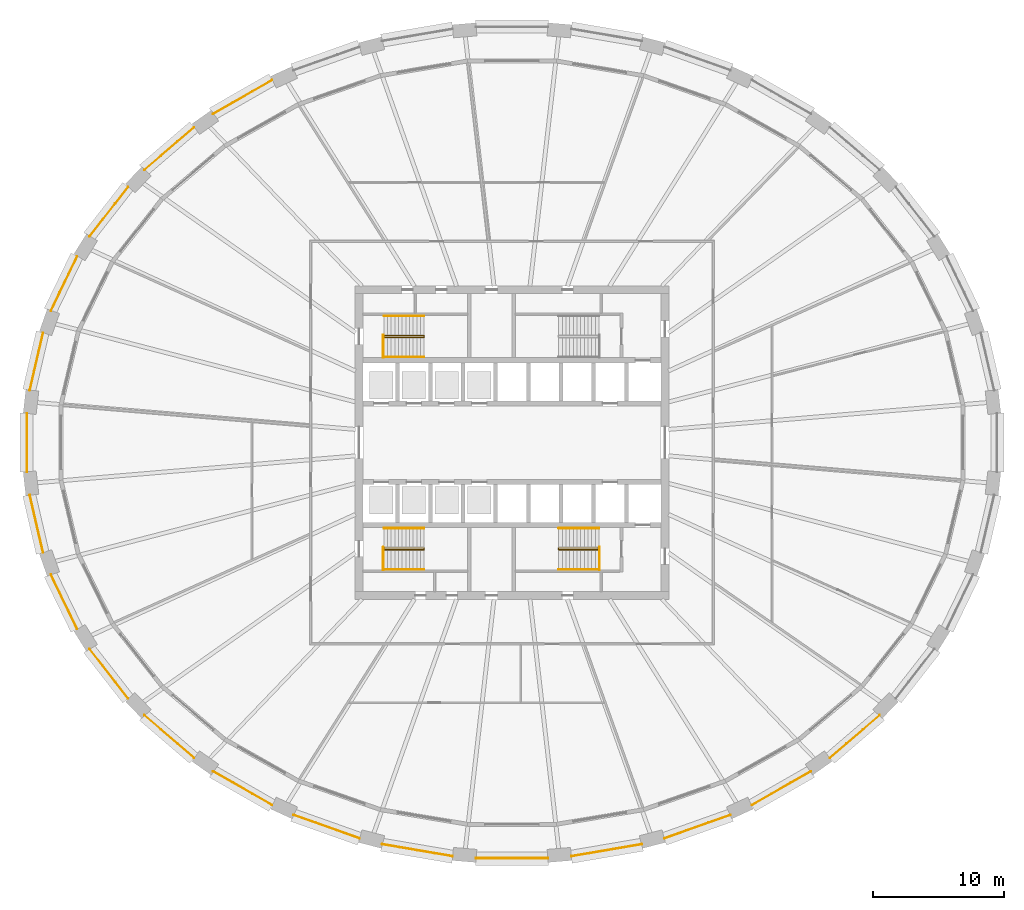
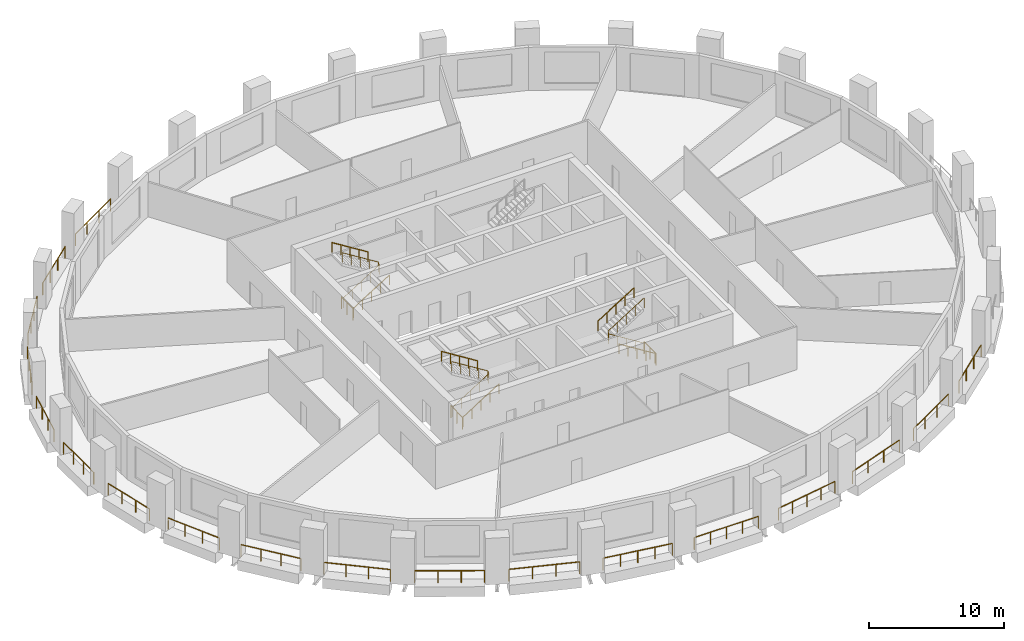
# One storey, part 8 of 10: 30 railings.
"""IFC4 building model written with IfcOpenShell, lengths in metres."""

from ifc_helpers import new_model, si_unit, direction, frame, origin, origin_2d, place, context, subcontext, project, spatial, circle, extrude, material, type_object, element, save


model = new_model("IFC4")

# Units and contexts
model_context = context("Model", 3, precision=1e-05, world=origin(), true_north=direction((0.0, 1.0)))
body_context = subcontext(model_context, "Body", "Model", "MODEL_VIEW")
ifc_project = project(units=[si_unit("LENGTHUNIT", "METRE"), si_unit("AREAUNIT", "SQUARE_METRE"), si_unit("VOLUMEUNIT", "CUBIC_METRE"), si_unit("PLANEANGLEUNIT", "RADIAN"), si_unit("MASSUNIT", "GRAM", prefix="KILO")], contexts=[model_context])

# Site, building, storey
site_placement = place(None, origin())
site = spatial("IfcSite", under=ifc_project, at=site_placement, CompositionType="ELEMENT")
building_placement = place(site_placement, origin())
building = spatial("IfcBuilding", under=site, at=building_placement, Name="Halqa Exchange Tower", CompositionType="ELEMENT")
storey_placement = place(building_placement, frame((0.0, 0.0, 57.10009765625)))
storey = spatial("IfcBuildingStorey", under=building, at=storey_placement, Name="L12", CompositionType="ELEMENT", Elevation=57.10009765625)

# Railings
ifc_material = material(Name="Stainless steel", Category="steel")
railing_type_1 = type_object("IfcRailingType", Name="Guard 1100 stainless steel", PredefinedType="GUARDRAIL", material=ifc_material)
railing_1_placement = place(storey_placement, frame((-18.350341796875, 27.72705078125, 0.0)))
element("IfcRailing", 1, at=railing_1_placement, inside=storey, type_object=railing_type_1, Name="Loggia guard 11", PredefinedType="GUARDRAIL", context=body_context, shape_type="SweptSolid", body=[
    extrude(circle(Radius=0.02392578125, at=origin_2d()), frame((0.0, 0.0, 1.076171875), z_axis=(-0.867766101648, -0.496972829068, 0.0), x_axis=(0.496972829068, -0.867766101648, 0.0)), (0.0, 0.0, 1.0), 5.200927734375),
    extrude(circle(Radius=0.02099609375, at=origin_2d()), origin(), (0.0, 0.0, 1.0), 1.052001953125),
    extrude(circle(Radius=0.02099609375, at=origin_2d()), frame((-1.50439453125, -0.861572265625, 0.0)), (0.0, 0.0, 1.0), 1.052001953125),
    extrude(circle(Radius=0.02099609375, at=origin_2d()), frame((-3.0087890625, -1.72314453125, 0.0)), (0.0, 0.0, 1.0), 1.052001953125),
    extrude(circle(Radius=0.02099609375, at=origin_2d()), frame((-4.51318359375, -2.584716796875, 0.0)), (0.0, 0.0, 1.0), 1.052001953125),
])
railing_2_placement = place(storey_placement, frame((-24.327880859375, 24.109375, 0.0)))
element("IfcRailing", 2, at=railing_2_placement, inside=storey, type_object=railing_type_1, Name="Loggia guard 12", PredefinedType="GUARDRAIL", context=body_context, shape_type="SweptSolid", body=[
    extrude(circle(Radius=0.02392578125, at=origin_2d()), frame((0.0, 0.0, 1.076171875), z_axis=(-0.759225609307, -0.650827530281, 0.0), x_axis=(0.650827530281, -0.759225609307, 0.0)), (0.0, 0.0, 1.0), 5.004638671875),
    extrude(circle(Radius=0.02099609375, at=origin_2d()), origin(), (0.0, 0.0, 1.0), 1.052001953125),
    extrude(circle(Radius=0.02099609375, at=origin_2d()), frame((-1.2666015625, -1.085693359375, 0.0)), (0.0, 0.0, 1.0), 1.052001953125),
    extrude(circle(Radius=0.02099609375, at=origin_2d()), frame((-2.532958984375, -2.17138671875, 0.0)), (0.0, 0.0, 1.0), 1.052001953125),
    extrude(circle(Radius=0.02099609375, at=origin_2d()), frame((-3.799560546875, -3.257080078125, 0.0)), (0.0, 0.0, 1.0), 1.052001953125),
])
railing_3_placement = place(storey_placement, frame((-29.3642578125, 19.556884765625, 0.0)))
element("IfcRailing", 3, at=railing_3_placement, inside=storey, type_object=railing_type_1, Name="Loggia guard 13", PredefinedType="GUARDRAIL", context=body_context, shape_type="SweptSolid", body=[
    extrude(circle(Radius=0.02392578125, at=origin_2d()), frame((0.0, 0.0, 1.076171875), z_axis=(-0.61481305672, -0.788672875968, 0.0), x_axis=(0.788672875968, -0.61481305672, 0.0)), (0.0, 0.0, 1.0), 4.802490234375),
    extrude(circle(Radius=0.02099609375, at=origin_2d()), origin(), (0.0, 0.0, 1.0), 1.052001953125),
    extrude(circle(Radius=0.02099609375, at=origin_2d()), frame((-0.984130859375, -1.262451171875, 0.0)), (0.0, 0.0, 1.0), 1.052001953125),
    extrude(circle(Radius=0.02099609375, at=origin_2d()), frame((-1.968505859375, -2.525146484375, 0.0)), (0.0, 0.0, 1.0), 1.052001953125),
    extrude(circle(Radius=0.02099609375, at=origin_2d()), frame((-2.95263671875, -3.78759765625, 0.0)), (0.0, 0.0, 1.0), 1.052001953125),
])
railing_4_placement = place(storey_placement, frame((-33.26171875, 14.249267578125, 0.0)))
element("IfcRailing", 4, at=railing_4_placement, inside=storey, type_object=railing_type_1, Name="Loggia guard 14", PredefinedType="GUARDRAIL", context=body_context, shape_type="SweptSolid", body=[
    extrude(circle(Radius=0.02392578125, at=origin_2d()), frame((0.0, 0.0, 1.076171875), z_axis=(-0.435076679412, -0.900393404591, 0.0), x_axis=(0.900393404591, -0.435076679412, 0.0)), (0.0, 0.0, 1.0), 4.6259765625),
    extrude(circle(Radius=0.02099609375, at=origin_2d()), origin(), (0.0, 0.0, 1.0), 1.052001953125),
    extrude(circle(Radius=0.02099609375, at=origin_2d()), frame((-0.6708984375, -1.388427734375, 0.0)), (0.0, 0.0, 1.0), 1.052001953125),
    extrude(circle(Radius=0.02099609375, at=origin_2d()), frame((-1.341796875, -2.77685546875, 0.0)), (0.0, 0.0, 1.0), 1.052001953125),
    extrude(circle(Radius=0.02099609375, at=origin_2d()), frame((-2.0126953125, -4.165283203125, 0.0)), (0.0, 0.0, 1.0), 1.052001953125),
])
railing_5_placement = place(storey_placement, frame((-35.86962890625, 8.39697265625, 0.0)))
element("IfcRailing", 5, at=railing_5_placement, inside=storey, type_object=railing_type_1, Name="Loggia guard 15", PredefinedType="GUARDRAIL", context=body_context, shape_type="SweptSolid", body=[
    extrude(circle(Radius=0.02392578125, at=origin_2d()), frame((0.0, 0.0, 1.076171875), z_axis=(-0.226066355165, -0.974111904795, 0.0), x_axis=(0.974111904795, -0.226066355165, 0.0)), (0.0, 0.0, 1.0), 4.505615234375),
    extrude(circle(Radius=0.02099609375, at=origin_2d()), origin(), (0.0, 0.0, 1.0), 1.052001953125),
    extrude(circle(Radius=0.02099609375, at=origin_2d()), frame((-0.339599609375, -1.462890625, 0.0)), (0.0, 0.0, 1.0), 1.052001953125),
    extrude(circle(Radius=0.02099609375, at=origin_2d()), frame((-0.678955078125, -2.926025390625, 0.0)), (0.0, 0.0, 1.0), 1.052001953125),
    extrude(circle(Radius=0.02099609375, at=origin_2d()), frame((-1.0185546875, -4.388916015625, 0.0)), (0.0, 0.0, 1.0), 1.052001953125),
])
railing_6_placement = place(storey_placement, frame((-37.091552734375, 2.231201171875, 0.0)))
element("IfcRailing", 6, at=railing_6_placement, inside=storey, type_object=railing_type_1, Name="Loggia guard 16", PredefinedType="GUARDRAIL", context=body_context, shape_type="SweptSolid", body=[
    extrude(circle(Radius=0.02392578125, at=origin_2d()), frame((0.0, 0.0, 1.076171875), z_axis=(0.0, -1.0, 0.0), x_axis=(1.0, 0.0, 0.0)), (0.0, 0.0, 1.0), 4.46240234375),
    extrude(circle(Radius=0.02099609375, at=origin_2d()), origin(), (0.0, 0.0, 1.0), 1.052001953125),
    extrude(circle(Radius=0.02099609375, at=origin_2d()), frame((0.0, -1.487548828125, 0.0)), (0.0, 0.0, 1.0), 1.052001953125),
    extrude(circle(Radius=0.02099609375, at=origin_2d()), frame((0.0, -2.974853515625, 0.0)), (0.0, 0.0, 1.0), 1.052001953125),
    extrude(circle(Radius=0.02099609375, at=origin_2d()), frame((0.0, -4.46240234375, 0.0)), (0.0, 0.0, 1.0), 1.052001953125),
])
railing_7_placement = place(storey_placement, frame((-36.88818359375, -4.008056640625, 0.0)))
element("IfcRailing", 7, at=railing_7_placement, inside=storey, type_object=railing_type_1, Name="Loggia guard 17", PredefinedType="GUARDRAIL", context=body_context, shape_type="SweptSolid", body=[
    extrude(circle(Radius=0.02392578125, at=origin_2d()), frame((0.0, 0.0, 1.076171875), z_axis=(0.226066355165, -0.974111904795, 0.0), x_axis=(0.974111904795, 0.226066355165, 0.0)), (0.0, 0.0, 1.0), 4.505615234375),
    extrude(circle(Radius=0.02099609375, at=origin_2d()), origin(), (0.0, 0.0, 1.0), 1.052001953125),
    extrude(circle(Radius=0.02099609375, at=origin_2d()), frame((0.339599609375, -1.462890625, 0.0)), (0.0, 0.0, 1.0), 1.052001953125),
    extrude(circle(Radius=0.02099609375, at=origin_2d()), frame((0.678955078125, -2.926025390625, 0.0)), (0.0, 0.0, 1.0), 1.052001953125),
    extrude(circle(Radius=0.02099609375, at=origin_2d()), frame((1.0185546875, -4.388916015625, 0.0)), (0.0, 0.0, 1.0), 1.052001953125),
])
railing_8_placement = place(storey_placement, frame((-35.2744140625, -10.083984375, 0.0)))
element("IfcRailing", 8, at=railing_8_placement, inside=storey, type_object=railing_type_1, Name="Loggia guard 18", PredefinedType="GUARDRAIL", context=body_context, shape_type="SweptSolid", body=[
    extrude(circle(Radius=0.02392578125, at=origin_2d()), frame((0.0, 0.0, 1.076171875), z_axis=(0.435076679412, -0.900393404591, 0.0), x_axis=(0.900393404591, 0.435076679412, 0.0)), (0.0, 0.0, 1.0), 4.6259765625),
    extrude(circle(Radius=0.02099609375, at=origin_2d()), origin(), (0.0, 0.0, 1.0), 1.052001953125),
    extrude(circle(Radius=0.02099609375, at=origin_2d()), frame((0.6708984375, -1.388427734375, 0.0)), (0.0, 0.0, 1.0), 1.052001953125),
    extrude(circle(Radius=0.02099609375, at=origin_2d()), frame((1.341796875, -2.77685546875, 0.0)), (0.0, 0.0, 1.0), 1.052001953125),
    extrude(circle(Radius=0.02099609375, at=origin_2d()), frame((2.0126953125, -4.165283203125, 0.0)), (0.0, 0.0, 1.0), 1.052001953125),
])
railing_9_placement = place(storey_placement, frame((-32.31689453125, -15.769287109375, 0.0)))
element("IfcRailing", 9, at=railing_9_placement, inside=storey, type_object=railing_type_1, Name="Loggia guard 19", PredefinedType="GUARDRAIL", context=body_context, shape_type="SweptSolid", body=[
    extrude(circle(Radius=0.02392578125, at=origin_2d()), frame((0.0, 0.0, 1.076171875), z_axis=(0.61481305672, -0.788672875968, 0.0), x_axis=(0.788672875968, 0.61481305672, 0.0)), (0.0, 0.0, 1.0), 4.802490234375),
    extrude(circle(Radius=0.02099609375, at=origin_2d()), origin(), (0.0, 0.0, 1.0), 1.052001953125),
    extrude(circle(Radius=0.02099609375, at=origin_2d()), frame((0.984130859375, -1.262451171875, 0.0)), (0.0, 0.0, 1.0), 1.052001953125),
    extrude(circle(Radius=0.02099609375, at=origin_2d()), frame((1.968505859375, -2.525146484375, 0.0)), (0.0, 0.0, 1.0), 1.052001953125),
    extrude(circle(Radius=0.02099609375, at=origin_2d()), frame((2.95263671875, -3.78759765625, 0.0)), (0.0, 0.0, 1.0), 1.052001953125),
])
railing_10_placement = place(storey_placement, frame((-28.12744140625, -20.852294921875, 0.0)))
element("IfcRailing", 10, at=railing_10_placement, inside=storey, type_object=railing_type_1, Name="Loggia guard 20", PredefinedType="GUARDRAIL", context=body_context, shape_type="SweptSolid", body=[
    extrude(circle(Radius=0.02392578125, at=origin_2d()), frame((0.0, 0.0, 1.076171875), z_axis=(0.759225609307, -0.650827530281, 0.0), x_axis=(0.650827530281, 0.759225609307, 0.0)), (0.0, 0.0, 1.0), 5.004638671875),
    extrude(circle(Radius=0.02099609375, at=origin_2d()), origin(), (0.0, 0.0, 1.0), 1.052001953125),
    extrude(circle(Radius=0.02099609375, at=origin_2d()), frame((1.2666015625, -1.085693359375, 0.0)), (0.0, 0.0, 1.0), 1.052001953125),
    extrude(circle(Radius=0.02099609375, at=origin_2d()), frame((2.532958984375, -2.17138671875, 0.0)), (0.0, 0.0, 1.0), 1.052001953125),
    extrude(circle(Radius=0.02099609375, at=origin_2d()), frame((3.799560546875, -3.257080078125, 0.0)), (0.0, 0.0, 1.0), 1.052001953125),
])
railing_11_placement = place(storey_placement, frame((-22.863525390625, -25.142333984375, 0.0)))
element("IfcRailing", 11, at=railing_11_placement, inside=storey, type_object=railing_type_1, Name="Loggia guard 21", PredefinedType="GUARDRAIL", context=body_context, shape_type="SweptSolid", body=[
    extrude(circle(Radius=0.02392578125, at=origin_2d()), frame((0.0, 0.0, 1.076171875), z_axis=(0.867766101648, -0.496972829068, 0.0), x_axis=(0.496972829068, 0.867766101648, 0.0)), (0.0, 0.0, 1.0), 5.200927734375),
    extrude(circle(Radius=0.02099609375, at=origin_2d()), origin(), (0.0, 0.0, 1.0), 1.052001953125),
    extrude(circle(Radius=0.02099609375, at=origin_2d()), frame((1.50439453125, -0.861572265625, 0.0)), (0.0, 0.0, 1.0), 1.052001953125),
    extrude(circle(Radius=0.02099609375, at=origin_2d()), frame((3.0087890625, -1.72314453125, 0.0)), (0.0, 0.0, 1.0), 1.052001953125),
    extrude(circle(Radius=0.02099609375, at=origin_2d()), frame((4.51318359375, -2.584716796875, 0.0)), (0.0, 0.0, 1.0), 1.052001953125),
])
railing_12_placement = place(storey_placement, frame((-16.72119140625, -28.4755859375, 0.0)))
element("IfcRailing", 12, at=railing_12_placement, inside=storey, type_object=railing_type_1, Name="Loggia guard 22", PredefinedType="GUARDRAIL", context=body_context, shape_type="SweptSolid", body=[
    extrude(circle(Radius=0.02392578125, at=origin_2d()), frame((0.0, 0.0, 1.076171875), z_axis=(0.94237775189, -0.334550702799, 0.0), x_axis=(0.334550702799, 0.94237775189, 0.0)), (0.0, 0.0, 1.0), 5.363037109375),
    extrude(circle(Radius=0.02099609375, at=origin_2d()), origin(), (0.0, 0.0, 1.0), 1.052001953125),
    extrude(circle(Radius=0.02099609375, at=origin_2d()), frame((1.6845703125, -0.59814453125, 0.0)), (0.0, 0.0, 1.0), 1.052001953125),
    extrude(circle(Radius=0.02099609375, at=origin_2d()), frame((3.369384765625, -1.196044921875, 0.0)), (0.0, 0.0, 1.0), 1.052001953125),
    extrude(circle(Radius=0.02099609375, at=origin_2d()), frame((5.053955078125, -1.794189453125, 0.0)), (0.0, 0.0, 1.0), 1.052001953125),
])
railing_13_placement = place(storey_placement, frame((-9.931884765625, -30.72216796875, 0.0)))
element("IfcRailing", 13, at=railing_13_placement, inside=storey, type_object=railing_type_1, Name="Loggia guard 23", PredefinedType="GUARDRAIL", context=body_context, shape_type="SweptSolid", body=[
    extrude(circle(Radius=0.02392578125, at=origin_2d()), frame((0.0, 0.0, 1.076171875), z_axis=(0.985769278309, -0.168103926015, 0.0), x_axis=(0.168103926015, 0.985769278309, 0.0)), (0.0, 0.0, 1.0), 5.469482421875),
    extrude(circle(Radius=0.02099609375, at=origin_2d()), origin(), (0.0, 0.0, 1.0), 1.052001953125),
    extrude(circle(Radius=0.02099609375, at=origin_2d()), frame((1.347900390625, -0.22998046875, 0.0)), (0.0, 0.0, 1.0), 1.052001953125),
    extrude(circle(Radius=0.02099609375, at=origin_2d()), frame((2.69580078125, -0.459716796875, 0.0)), (0.0, 0.0, 1.0), 1.052001953125),
    extrude(circle(Radius=0.02099609375, at=origin_2d()), frame((4.043701171875, -0.689453125, 0.0)), (0.0, 0.0, 1.0), 1.052001953125),
    extrude(circle(Radius=0.02099609375, at=origin_2d()), frame((5.3916015625, -0.91943359375, 0.0)), (0.0, 0.0, 1.0), 1.052001953125),
])
railing_14_placement = place(storey_placement, frame((-2.753173828125, -31.792724609375, 0.0)))
element("IfcRailing", 14, at=railing_14_placement, inside=storey, type_object=railing_type_1, Name="Loggia guard 24", PredefinedType="GUARDRAIL", context=body_context, shape_type="SweptSolid", body=[
    extrude(circle(Radius=0.02392578125, at=origin_2d()), frame((0.0, 0.0, 1.076171875), z_axis=(1.0, 0.0, 0.0), x_axis=(0.0, 1.0, 0.0)), (0.0, 0.0, 1.0), 5.50634765625),
    extrude(circle(Radius=0.02099609375, at=origin_2d()), origin(), (0.0, 0.0, 1.0), 1.052001953125),
    extrude(circle(Radius=0.02099609375, at=origin_2d()), frame((1.37646484375, 0.0, 0.0)), (0.0, 0.0, 1.0), 1.052001953125),
    extrude(circle(Radius=0.02099609375, at=origin_2d()), frame((2.753173828125, 0.0, 0.0)), (0.0, 0.0, 1.0), 1.052001953125),
    extrude(circle(Radius=0.02099609375, at=origin_2d()), frame((4.1298828125, 0.0, 0.0)), (0.0, 0.0, 1.0), 1.052001953125),
    extrude(circle(Radius=0.02099609375, at=origin_2d()), frame((5.50634765625, 0.0, 0.0)), (0.0, 0.0, 1.0), 1.052001953125),
])
railing_15_placement = place(storey_placement, frame((4.540283203125, -31.6416015625, 0.0)))
element("IfcRailing", 15, at=railing_15_placement, inside=storey, type_object=railing_type_1, Name="Loggia guard 25", PredefinedType="GUARDRAIL", context=body_context, shape_type="SweptSolid", body=[
    extrude(circle(Radius=0.02392578125, at=origin_2d()), frame((0.0, 0.0, 1.076171875), z_axis=(0.985769278309, 0.168103926015, 0.0), x_axis=(-0.168103926015, 0.985769278309, 0.0)), (0.0, 0.0, 1.0), 5.469482421875),
    extrude(circle(Radius=0.02099609375, at=origin_2d()), origin(), (0.0, 0.0, 1.0), 1.052001953125),
    extrude(circle(Radius=0.02099609375, at=origin_2d()), frame((1.347900390625, 0.22998046875, 0.0)), (0.0, 0.0, 1.0), 1.052001953125),
    extrude(circle(Radius=0.02099609375, at=origin_2d()), frame((2.69580078125, 0.459716796875, 0.0)), (0.0, 0.0, 1.0), 1.052001953125),
    extrude(circle(Radius=0.02099609375, at=origin_2d()), frame((4.043701171875, 0.689453125, 0.0)), (0.0, 0.0, 1.0), 1.052001953125),
    extrude(circle(Radius=0.02099609375, at=origin_2d()), frame((5.3916015625, 0.91943359375, 0.0)), (0.0, 0.0, 1.0), 1.052001953125),
])
railing_16_placement = place(storey_placement, frame((11.667236328125, -30.269775390625, 0.0)))
element("IfcRailing", 16, at=railing_16_placement, inside=storey, type_object=railing_type_1, Name="Loggia guard 26", PredefinedType="GUARDRAIL", context=body_context, shape_type="SweptSolid", body=[
    extrude(circle(Radius=0.02392578125, at=origin_2d()), frame((0.0, 0.0, 1.076171875), z_axis=(0.94237775189, 0.334550702799, 0.0), x_axis=(-0.334550702799, 0.94237775189, 0.0)), (0.0, 0.0, 1.0), 5.363037109375),
    extrude(circle(Radius=0.02099609375, at=origin_2d()), origin(), (0.0, 0.0, 1.0), 1.052001953125),
    extrude(circle(Radius=0.02099609375, at=origin_2d()), frame((1.6845703125, 0.59814453125, 0.0)), (0.0, 0.0, 1.0), 1.052001953125),
    extrude(circle(Radius=0.02099609375, at=origin_2d()), frame((3.369384765625, 1.196044921875, 0.0)), (0.0, 0.0, 1.0), 1.052001953125),
    extrude(circle(Radius=0.02099609375, at=origin_2d()), frame((5.053955078125, 1.794189453125, 0.0)), (0.0, 0.0, 1.0), 1.052001953125),
])
railing_17_placement = place(storey_placement, frame((18.350341796875, -27.72705078125, 0.0)))
element("IfcRailing", 17, at=railing_17_placement, inside=storey, type_object=railing_type_1, Name="Loggia guard 27", PredefinedType="GUARDRAIL", context=body_context, shape_type="SweptSolid", body=[
    extrude(circle(Radius=0.02392578125, at=origin_2d()), frame((0.0, 0.0, 1.076171875), z_axis=(0.867766101648, 0.496972829068, 0.0), x_axis=(-0.496972829068, 0.867766101648, 0.0)), (0.0, 0.0, 1.0), 5.200927734375),
    extrude(circle(Radius=0.02099609375, at=origin_2d()), origin(), (0.0, 0.0, 1.0), 1.052001953125),
    extrude(circle(Radius=0.02099609375, at=origin_2d()), frame((1.50439453125, 0.861572265625, 0.0)), (0.0, 0.0, 1.0), 1.052001953125),
    extrude(circle(Radius=0.02099609375, at=origin_2d()), frame((3.0087890625, 1.72314453125, 0.0)), (0.0, 0.0, 1.0), 1.052001953125),
    extrude(circle(Radius=0.02099609375, at=origin_2d()), frame((4.51318359375, 2.584716796875, 0.0)), (0.0, 0.0, 1.0), 1.052001953125),
])
railing_18_placement = place(storey_placement, frame((24.327880859375, -24.109375, 0.0)))
element("IfcRailing", 18, at=railing_18_placement, inside=storey, type_object=railing_type_1, Name="Loggia guard 28", PredefinedType="GUARDRAIL", context=body_context, shape_type="SweptSolid", body=[
    extrude(circle(Radius=0.02392578125, at=origin_2d()), frame((0.0, 0.0, 1.076171875), z_axis=(0.759225609307, 0.650827530281, 0.0), x_axis=(-0.650827530281, 0.759225609307, 0.0)), (0.0, 0.0, 1.0), 5.004638671875),
    extrude(circle(Radius=0.02099609375, at=origin_2d()), origin(), (0.0, 0.0, 1.0), 1.052001953125),
    extrude(circle(Radius=0.02099609375, at=origin_2d()), frame((1.2666015625, 1.085693359375, 0.0)), (0.0, 0.0, 1.0), 1.052001953125),
    extrude(circle(Radius=0.02099609375, at=origin_2d()), frame((2.532958984375, 2.17138671875, 0.0)), (0.0, 0.0, 1.0), 1.052001953125),
    extrude(circle(Radius=0.02099609375, at=origin_2d()), frame((3.799560546875, 3.257080078125, 0.0)), (0.0, 0.0, 1.0), 1.052001953125),
])
railing_type_2 = type_object("IfcRailingType", Name="Stair handrail 900", PredefinedType="HANDRAIL", material=ifc_material)
railing_19_placement = place(storey_placement, frame((-9.800048828125, 8.06005859375, 0.1748046875)))
element("IfcRailing", 19, at=railing_19_placement, inside=storey, type_object=railing_type_2, Name="Handrail ST1.1", PredefinedType="HANDRAIL", context=body_context, shape_type="SweptSolid", body=[
    extrude(circle(Radius=0.02392578125, at=origin_2d()), frame((0.0, 0.0, 0.8759765625), z_axis=(0.847998304005, 0.0, 0.529998940003), x_axis=(0.0, 1.0, 0.0)), (0.0, 0.0, 1.0), 3.632080078125),
    extrude(circle(Radius=0.02392578125, at=origin_2d()), frame((3.080078125, 0.0, 2.80078125), z_axis=(0.0, 0.595870227118, 0.803080738428), x_axis=(-1.0, 0.0, 0.0)), (0.0, 0.0, 1.0), 0.218017578125),
    extrude(circle(Radius=0.02392578125, at=origin_2d()), frame((3.080078125, 0.1298828125, 2.97607421875), z_axis=(-0.847998304005, 0.0, 0.529998940003), x_axis=(0.0, -1.0, 0.0)), (0.0, 0.0, 1.0), 3.632080078125),
    extrude(circle(Radius=0.02099609375, at=origin_2d()), origin(), (0.0, 0.0, 1.0), 0.851806640625),
    extrude(circle(Radius=0.02099609375, at=origin_2d()), frame((0.77001953125, 0.0, 0.481201171875)), (0.0, 0.0, 1.0), 0.851806640625),
    extrude(circle(Radius=0.02099609375, at=origin_2d()), frame((1.5400390625, 0.0, 0.96240234375)), (0.0, 0.0, 1.0), 0.851806640625),
    extrude(circle(Radius=0.02099609375, at=origin_2d()), frame((2.31005859375, 0.0, 1.44384765625)), (0.0, 0.0, 1.0), 0.851806640625),
    extrude(circle(Radius=0.02099609375, at=origin_2d()), frame((3.080078125, 0.0, 1.925048828125)), (0.0, 0.0, 1.0), 0.851806640625),
    extrude(circle(Radius=0.02099609375, at=origin_2d()), frame((3.080078125, 0.1298828125, 2.10009765625)), (0.0, 0.0, 1.0), 0.851806640625),
    extrude(circle(Radius=0.02099609375, at=origin_2d()), frame((2.31005859375, 0.1298828125, 2.581298828125)), (0.0, 0.0, 1.0), 0.851806640625),
    extrude(circle(Radius=0.02099609375, at=origin_2d()), frame((1.5400390625, 0.1298828125, 3.0625)), (0.0, 0.0, 1.0), 0.851806640625),
    extrude(circle(Radius=0.02099609375, at=origin_2d()), frame((0.77001953125, 0.1298828125, 3.5439453125)), (0.0, 0.0, 1.0), 0.851806640625),
    extrude(circle(Radius=0.02099609375, at=origin_2d()), frame((0.0, 0.1298828125, 4.025146484375)), (0.0, 0.0, 1.0), 0.851806640625),
])
railing_20_placement = place(storey_placement, frame((-9.800048828125, 6.550048828125, 0.1748046875)))
element("IfcRailing", 20, at=railing_20_placement, inside=storey, type_object=railing_type_2, Name="Handrail ST1.2", PredefinedType="HANDRAIL", context=body_context, shape_type="SweptSolid", body=[
    extrude(circle(Radius=0.02392578125, at=origin_2d()), frame((0.0, 0.0, 0.8759765625), z_axis=(0.847998304005, 0.0, 0.529998940003), x_axis=(0.0, 1.0, 0.0)), (0.0, 0.0, 1.0), 3.632080078125),
    extrude(circle(Radius=0.02099609375, at=origin_2d()), origin(), (0.0, 0.0, 1.0), 0.851806640625),
    extrude(circle(Radius=0.02099609375, at=origin_2d()), frame((0.77001953125, 0.0, 0.481201171875)), (0.0, 0.0, 1.0), 0.851806640625),
    extrude(circle(Radius=0.02099609375, at=origin_2d()), frame((1.5400390625, 0.0, 0.96240234375)), (0.0, 0.0, 1.0), 0.851806640625),
    extrude(circle(Radius=0.02099609375, at=origin_2d()), frame((2.31005859375, 0.0, 1.44384765625)), (0.0, 0.0, 1.0), 0.851806640625),
    extrude(circle(Radius=0.02099609375, at=origin_2d()), frame((3.080078125, 0.0, 1.925048828125)), (0.0, 0.0, 1.0), 0.851806640625),
])
railing_21_placement = place(storey_placement, frame((-6.719970703125, 9.699951171875, 2.27490234375)))
element("IfcRailing", 21, at=railing_21_placement, inside=storey, type_object=railing_type_2, Name="Handrail ST1.3", PredefinedType="HANDRAIL", context=body_context, shape_type="SweptSolid", body=[
    extrude(circle(Radius=0.02392578125, at=origin_2d()), frame((0.0, 0.0, 0.8759765625), z_axis=(-0.847998304005, 0.0, 0.529998940003), x_axis=(0.0, -1.0, 0.0)), (0.0, 0.0, 1.0), 3.632080078125),
    extrude(circle(Radius=0.02099609375, at=origin_2d()), origin(), (0.0, 0.0, 1.0), 0.851806640625),
    extrude(circle(Radius=0.02099609375, at=origin_2d()), frame((-0.77001953125, 0.0, 0.481201171875)), (0.0, 0.0, 1.0), 0.851806640625),
    extrude(circle(Radius=0.02099609375, at=origin_2d()), frame((-1.5400390625, 0.0, 0.96240234375)), (0.0, 0.0, 1.0), 0.851806640625),
    extrude(circle(Radius=0.02099609375, at=origin_2d()), frame((-2.31005859375, 0.0, 1.44384765625)), (0.0, 0.0, 1.0), 0.851806640625),
    extrude(circle(Radius=0.02099609375, at=origin_2d()), frame((-3.080078125, 0.0, 1.925048828125)), (0.0, 0.0, 1.0), 0.851806640625),
])
railing_22_placement = place(storey_placement, frame((-9.800048828125, -8.18994140625, 0.1748046875)))
element("IfcRailing", 22, at=railing_22_placement, inside=storey, type_object=railing_type_2, Name="Handrail ST3.1", PredefinedType="HANDRAIL", context=body_context, shape_type="SweptSolid", body=[
    extrude(circle(Radius=0.02392578125, at=origin_2d()), frame((0.0, 0.0, 0.8759765625), z_axis=(0.847998304005, 0.0, 0.529998940003), x_axis=(0.0, 1.0, 0.0)), (0.0, 0.0, 1.0), 3.632080078125),
    extrude(circle(Radius=0.02392578125, at=origin_2d()), frame((3.080078125, 0.0, 2.80078125), z_axis=(0.0, 0.595870227118, 0.803080738428), x_axis=(-1.0, 0.0, 0.0)), (0.0, 0.0, 1.0), 0.218017578125),
    extrude(circle(Radius=0.02392578125, at=origin_2d()), frame((3.080078125, 0.1298828125, 2.97607421875), z_axis=(-0.847998304005, 0.0, 0.529998940003), x_axis=(0.0, -1.0, 0.0)), (0.0, 0.0, 1.0), 3.632080078125),
    extrude(circle(Radius=0.02099609375, at=origin_2d()), origin(), (0.0, 0.0, 1.0), 0.851806640625),
    extrude(circle(Radius=0.02099609375, at=origin_2d()), frame((0.77001953125, 0.0, 0.481201171875)), (0.0, 0.0, 1.0), 0.851806640625),
    extrude(circle(Radius=0.02099609375, at=origin_2d()), frame((1.5400390625, 0.0, 0.96240234375)), (0.0, 0.0, 1.0), 0.851806640625),
    extrude(circle(Radius=0.02099609375, at=origin_2d()), frame((2.31005859375, 0.0, 1.44384765625)), (0.0, 0.0, 1.0), 0.851806640625),
    extrude(circle(Radius=0.02099609375, at=origin_2d()), frame((3.080078125, 0.0, 1.925048828125)), (0.0, 0.0, 1.0), 0.851806640625),
    extrude(circle(Radius=0.02099609375, at=origin_2d()), frame((3.080078125, 0.1298828125, 2.10009765625)), (0.0, 0.0, 1.0), 0.851806640625),
    extrude(circle(Radius=0.02099609375, at=origin_2d()), frame((2.31005859375, 0.1298828125, 2.581298828125)), (0.0, 0.0, 1.0), 0.851806640625),
    extrude(circle(Radius=0.02099609375, at=origin_2d()), frame((1.5400390625, 0.1298828125, 3.0625)), (0.0, 0.0, 1.0), 0.851806640625),
    extrude(circle(Radius=0.02099609375, at=origin_2d()), frame((0.77001953125, 0.1298828125, 3.5439453125)), (0.0, 0.0, 1.0), 0.851806640625),
    extrude(circle(Radius=0.02099609375, at=origin_2d()), frame((0.0, 0.1298828125, 4.025146484375)), (0.0, 0.0, 1.0), 0.851806640625),
])
railing_23_placement = place(storey_placement, frame((-9.800048828125, -9.699951171875, 0.1748046875)))
element("IfcRailing", 23, at=railing_23_placement, inside=storey, type_object=railing_type_2, Name="Handrail ST3.2", PredefinedType="HANDRAIL", context=body_context, shape_type="SweptSolid", body=[
    extrude(circle(Radius=0.02392578125, at=origin_2d()), frame((0.0, 0.0, 0.8759765625), z_axis=(0.847998304005, 0.0, 0.529998940003), x_axis=(0.0, 1.0, 0.0)), (0.0, 0.0, 1.0), 3.632080078125),
    extrude(circle(Radius=0.02099609375, at=origin_2d()), origin(), (0.0, 0.0, 1.0), 0.851806640625),
    extrude(circle(Radius=0.02099609375, at=origin_2d()), frame((0.77001953125, 0.0, 0.481201171875)), (0.0, 0.0, 1.0), 0.851806640625),
    extrude(circle(Radius=0.02099609375, at=origin_2d()), frame((1.5400390625, 0.0, 0.96240234375)), (0.0, 0.0, 1.0), 0.851806640625),
    extrude(circle(Radius=0.02099609375, at=origin_2d()), frame((2.31005859375, 0.0, 1.44384765625)), (0.0, 0.0, 1.0), 0.851806640625),
    extrude(circle(Radius=0.02099609375, at=origin_2d()), frame((3.080078125, 0.0, 1.925048828125)), (0.0, 0.0, 1.0), 0.851806640625),
])
railing_24_placement = place(storey_placement, frame((-6.719970703125, -6.550048828125, 2.27490234375)))
element("IfcRailing", 24, at=railing_24_placement, inside=storey, type_object=railing_type_2, Name="Handrail ST3.3", PredefinedType="HANDRAIL", context=body_context, shape_type="SweptSolid", body=[
    extrude(circle(Radius=0.02392578125, at=origin_2d()), frame((0.0, 0.0, 0.8759765625), z_axis=(-0.847998304005, 0.0, 0.529998940003), x_axis=(0.0, -1.0, 0.0)), (0.0, 0.0, 1.0), 3.632080078125),
    extrude(circle(Radius=0.02099609375, at=origin_2d()), origin(), (0.0, 0.0, 1.0), 0.851806640625),
    extrude(circle(Radius=0.02099609375, at=origin_2d()), frame((-0.77001953125, 0.0, 0.481201171875)), (0.0, 0.0, 1.0), 0.851806640625),
    extrude(circle(Radius=0.02099609375, at=origin_2d()), frame((-1.5400390625, 0.0, 0.96240234375)), (0.0, 0.0, 1.0), 0.851806640625),
    extrude(circle(Radius=0.02099609375, at=origin_2d()), frame((-2.31005859375, 0.0, 1.44384765625)), (0.0, 0.0, 1.0), 0.851806640625),
    extrude(circle(Radius=0.02099609375, at=origin_2d()), frame((-3.080078125, 0.0, 1.925048828125)), (0.0, 0.0, 1.0), 0.851806640625),
])
railing_25_placement = place(storey_placement, frame((6.64990234375, -8.18994140625, 0.1748046875)))
element("IfcRailing", 25, at=railing_25_placement, inside=storey, type_object=railing_type_2, Name="Handrail ST4.1", PredefinedType="HANDRAIL", context=body_context, shape_type="SweptSolid", body=[
    extrude(circle(Radius=0.02392578125, at=origin_2d()), frame((0.0, 0.0, 0.8759765625), z_axis=(-0.847979421464, 0.0, 0.530029150871), x_axis=(0.0, -1.0, 0.0)), (0.0, 0.0, 1.0), 3.632080078125),
    extrude(circle(Radius=0.02392578125, at=origin_2d()), frame((-3.079833984375, 0.0, 2.80078125), z_axis=(0.0, 0.595870227118, 0.803080738428), x_axis=(-1.0, 0.0, 0.0)), (0.0, 0.0, 1.0), 0.218017578125),
    extrude(circle(Radius=0.02392578125, at=origin_2d()), frame((-3.079833984375, 0.1298828125, 2.97607421875), z_axis=(0.847979421464, 0.0, 0.530029150871), x_axis=(0.0, 1.0, 0.0)), (0.0, 0.0, 1.0), 3.632080078125),
    extrude(circle(Radius=0.02099609375, at=origin_2d()), origin(), (0.0, 0.0, 1.0), 0.851806640625),
    extrude(circle(Radius=0.02099609375, at=origin_2d()), frame((-0.77001953125, 0.0, 0.481201171875)), (0.0, 0.0, 1.0), 0.851806640625),
    extrude(circle(Radius=0.02099609375, at=origin_2d()), frame((-1.5400390625, 0.0, 0.96240234375)), (0.0, 0.0, 1.0), 0.851806640625),
    extrude(circle(Radius=0.02099609375, at=origin_2d()), frame((-2.309814453125, 0.0, 1.44384765625)), (0.0, 0.0, 1.0), 0.851806640625),
    extrude(circle(Radius=0.02099609375, at=origin_2d()), frame((-3.079833984375, 0.0, 1.925048828125)), (0.0, 0.0, 1.0), 0.851806640625),
    extrude(circle(Radius=0.02099609375, at=origin_2d()), frame((-3.079833984375, 0.1298828125, 2.10009765625)), (0.0, 0.0, 1.0), 0.851806640625),
    extrude(circle(Radius=0.02099609375, at=origin_2d()), frame((-2.309814453125, 0.1298828125, 2.581298828125)), (0.0, 0.0, 1.0), 0.851806640625),
    extrude(circle(Radius=0.02099609375, at=origin_2d()), frame((-1.5400390625, 0.1298828125, 3.0625)), (0.0, 0.0, 1.0), 0.851806640625),
    extrude(circle(Radius=0.02099609375, at=origin_2d()), frame((-0.77001953125, 0.1298828125, 3.5439453125)), (0.0, 0.0, 1.0), 0.851806640625),
    extrude(circle(Radius=0.02099609375, at=origin_2d()), frame((0.0, 0.1298828125, 4.025146484375)), (0.0, 0.0, 1.0), 0.851806640625),
])
railing_26_placement = place(storey_placement, frame((6.64990234375, -9.699951171875, 0.1748046875)))
element("IfcRailing", 26, at=railing_26_placement, inside=storey, type_object=railing_type_2, Name="Handrail ST4.2", PredefinedType="HANDRAIL", context=body_context, shape_type="SweptSolid", body=[
    extrude(circle(Radius=0.02392578125, at=origin_2d()), frame((0.0, 0.0, 0.8759765625), z_axis=(-0.847979421464, 0.0, 0.530029150871), x_axis=(0.0, -1.0, 0.0)), (0.0, 0.0, 1.0), 3.632080078125),
    extrude(circle(Radius=0.02099609375, at=origin_2d()), origin(), (0.0, 0.0, 1.0), 0.851806640625),
    extrude(circle(Radius=0.02099609375, at=origin_2d()), frame((-0.77001953125, 0.0, 0.481201171875)), (0.0, 0.0, 1.0), 0.851806640625),
    extrude(circle(Radius=0.02099609375, at=origin_2d()), frame((-1.5400390625, 0.0, 0.96240234375)), (0.0, 0.0, 1.0), 0.851806640625),
    extrude(circle(Radius=0.02099609375, at=origin_2d()), frame((-2.309814453125, 0.0, 1.44384765625)), (0.0, 0.0, 1.0), 0.851806640625),
    extrude(circle(Radius=0.02099609375, at=origin_2d()), frame((-3.079833984375, 0.0, 1.925048828125)), (0.0, 0.0, 1.0), 0.851806640625),
])
railing_27_placement = place(storey_placement, frame((3.570068359375, -6.550048828125, 2.27490234375)))
element("IfcRailing", 27, at=railing_27_placement, inside=storey, type_object=railing_type_2, Name="Handrail ST4.3", PredefinedType="HANDRAIL", context=body_context, shape_type="SweptSolid", body=[
    extrude(circle(Radius=0.02392578125, at=origin_2d()), frame((0.0, 0.0, 0.8759765625), z_axis=(0.847979421464, 0.0, 0.530029150871), x_axis=(0.0, 1.0, 0.0)), (0.0, 0.0, 1.0), 3.632080078125),
    extrude(circle(Radius=0.02099609375, at=origin_2d()), origin(), (0.0, 0.0, 1.0), 0.851806640625),
    extrude(circle(Radius=0.02099609375, at=origin_2d()), frame((0.77001953125, 0.0, 0.481201171875)), (0.0, 0.0, 1.0), 0.851806640625),
    extrude(circle(Radius=0.02099609375, at=origin_2d()), frame((1.5400390625, 0.0, 0.96240234375)), (0.0, 0.0, 1.0), 0.851806640625),
    extrude(circle(Radius=0.02099609375, at=origin_2d()), frame((2.309814453125, 0.0, 1.44384765625)), (0.0, 0.0, 1.0), 0.851806640625),
    extrude(circle(Radius=0.02099609375, at=origin_2d()), frame((3.079833984375, 0.0, 1.925048828125)), (0.0, 0.0, 1.0), 0.851806640625),
])
railing_type_3 = type_object("IfcRailingType", Name="Stair well guard 1100", PredefinedType="GUARDRAIL", material=ifc_material)
for number, where, name in (
    (28, (-9.85009765625, 6.5, 0.0), "Guard ST1 well"),
    (29, (-9.85009765625, -9.75, 0.0), "Guard ST3 well"),
    (30, (6.699951171875, -9.75, 0.0), "Guard ST4 well"),
):
    element("IfcRailing", number, at=place(storey_placement, frame(where)), inside=storey, type_object=railing_type_3, Name=name, PredefinedType="GUARDRAIL", context=body_context, shape_type="SweptSolid", body=[
        extrude(circle(Radius=0.02392578125, at=origin_2d()), frame((0.0, 0.0, 1.076171875), z_axis=(0.0, 1.0, 0.0), x_axis=(-1.0, 0.0, 0.0)), (0.0, 0.0, 1.0), 1.75),
        extrude(circle(Radius=0.02099609375, at=origin_2d()), origin(), (0.0, 0.0, 1.0), 1.052001953125),
        extrude(circle(Radius=0.02099609375, at=origin_2d()), frame((0.0, 0.875, 0.0)), (0.0, 0.0, 1.0), 1.052001953125),
        extrude(circle(Radius=0.02099609375, at=origin_2d()), frame((0.0, 1.75, 0.0)), (0.0, 0.0, 1.0), 1.052001953125),
    ])

save(model, "model.ifc")
